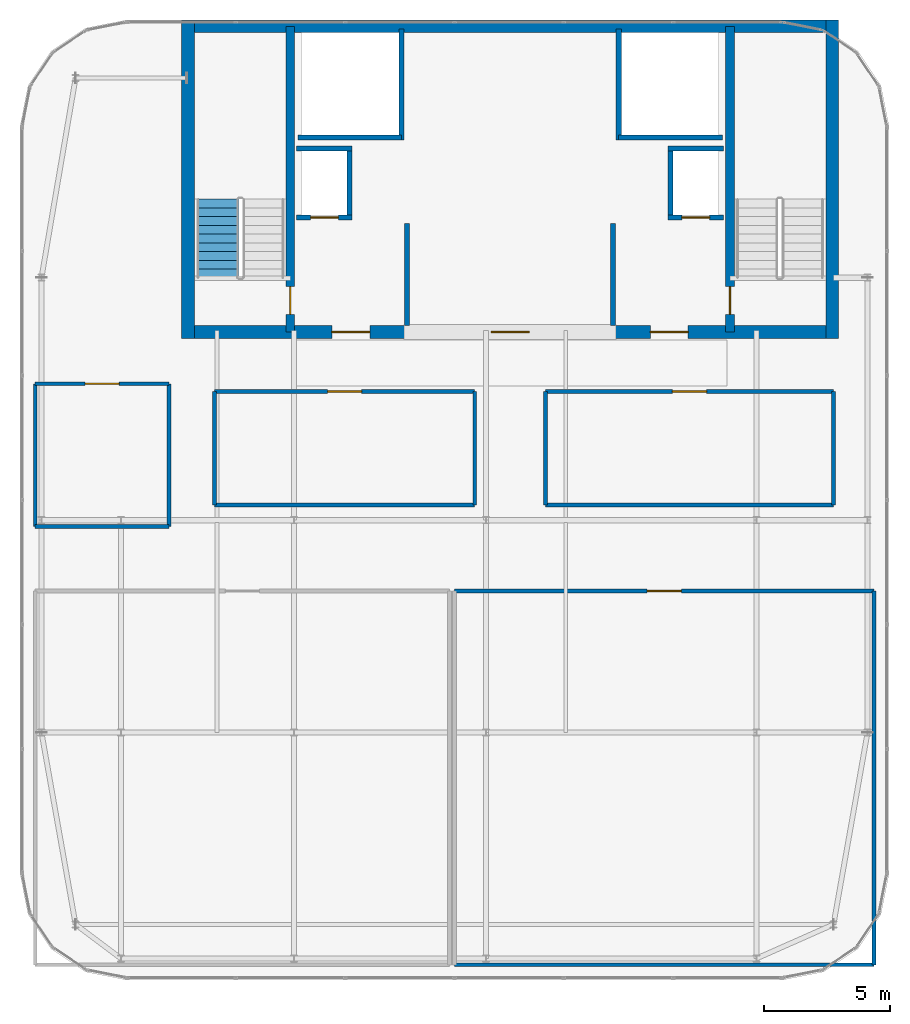
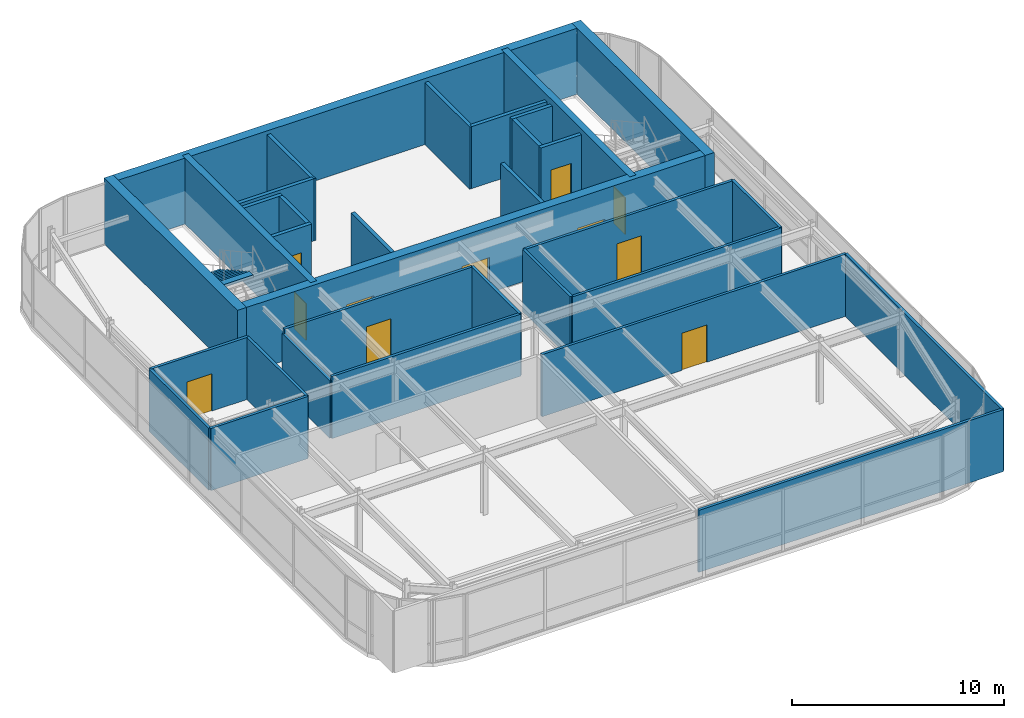
# One storey, part 34 of 36: 33 walls, 11 doors, 1 stair flight, 11 openings, 1 element without a shape of its own.
"""IFC4 building model written with IfcOpenShell, lengths in metres."""

from ifc_helpers import new_model, si_unit, direction, frame, frame_2d, origin, place, context, subcontext, project, spatial, polyline, rectangle, outline, extrude, source, transform, mapped, material, layer, layer_set, type_object, type_shapes, element, fill, aggregate, save


model = new_model("IFC4")

# Units and contexts
model_context = context("Model", 3, precision=1e-05, world=origin(), true_north=direction((0.0, 1.0)))
body_context = subcontext(model_context, "Body", "Model", "MODEL_VIEW")
ifc_project = project(units=[si_unit("LENGTHUNIT", "METRE"), si_unit("AREAUNIT", "SQUARE_METRE"), si_unit("VOLUMEUNIT", "CUBIC_METRE"), si_unit("PLANEANGLEUNIT", "RADIAN"), si_unit("MASSUNIT", "GRAM", prefix="KILO")], contexts=[model_context])

# Site, building, storey
site_placement = place(None, origin())
site = spatial("IfcSite", under=ifc_project, at=site_placement, CompositionType="ELEMENT")
building_placement = place(site_placement, origin())
building = spatial("IfcBuilding", under=site, at=building_placement, Name="Tolvann Quenvar Hotel", CompositionType="ELEMENT")
storey_placement = place(building_placement, frame((0.0, 0.0, 294.75)))
storey = spatial("IfcBuildingStorey", under=building, at=storey_placement, Name="L78", CompositionType="ELEMENT", Elevation=294.75)

# Wall, openings, doors
ifc_material_1 = material(Name="Concrete N50 (50 MPa)", Category="concrete")
ifc_layer_1 = layer(ifc_material_1, 0.5)
ifc_layer_set_1 = layer_set([ifc_layer_1], Name="Concrete N50 (50 MPa)")
wall_type_1 = type_object("IfcWallType", Name="WALL_CORE_500", PredefinedType="SHEAR", material=ifc_layer_set_1)
wall_1_placement = place(storey_placement, frame((10.0, 31.85009765625, 0.0), z_axis=(0.0, 0.0, 1.0), x_axis=(1.0, 0.0, 0.0)))
wall_1 = element("IfcWall", 1, at=wall_1_placement, inside=storey, type_object=wall_type_1, Name="Rear Core S Shear Wall (L78)", PredefinedType="SHEAR", context=body_context, shape_type="SweptSolid", body=[
    extrude(rectangle(XDim=26.0, YDim=0.5, at=frame_2d((13.0, 0.0))), origin(), (0.0, 0.0, 1.0), 3.800048828125),
])
opening_1_placement = place(wall_1_placement, frame((7.449951171875, 0.0, 0.0), z_axis=(0.0, 0.0, 1.0), x_axis=(-1.0, 0.0, 0.0)))
opening_1 = element("IfcOpeningElement", 2, at=opening_1_placement, cuts=wall_1, Name="Opening FD-60D", PredefinedType="OPENING", context=body_context, shape_type="SweptSolid", body=[
    extrude(rectangle(XDim=1.5, YDim=2.0400390625, at=frame_2d((0.75, 1.02001953125))), frame((0.0, 0.260009765625, 0.0), z_axis=(0.0, -1.0, 0.0), x_axis=(1.0, 0.0, 0.0)), (0.0, 0.0, 1.0), 0.52001953125),
])
opening_2_placement = place(wall_1_placement, frame((13.75, 0.0, 0.0), z_axis=(0.0, 0.0, 1.0), x_axis=(-1.0, 0.0, 0.0)))
opening_2 = element("IfcOpeningElement", 3, at=opening_2_placement, cuts=wall_1, Name="Opening FD-60D", PredefinedType="OPENING", context=body_context, shape_type="SweptSolid", body=[
    extrude(rectangle(XDim=1.5, YDim=2.0400390625, at=frame_2d((0.75, 1.02001953125))), frame((0.0, 0.260009765625, 0.0), z_axis=(0.0, -1.0, 0.0), x_axis=(1.0, 0.0, 0.0)), (0.0, 0.0, 1.0), 0.52001953125),
])
opening_3_placement = place(wall_1_placement, frame((20.050048828125, 0.0, 0.0), z_axis=(0.0, 0.0, 1.0), x_axis=(-1.0, 0.0, 0.0)))
opening_3 = element("IfcOpeningElement", 4, at=opening_3_placement, cuts=wall_1, Name="Opening FD-60D", PredefinedType="OPENING", context=body_context, shape_type="SweptSolid", body=[
    extrude(rectangle(XDim=1.5, YDim=2.0400390625, at=frame_2d((0.75, 1.02001953125))), frame((0.0, 0.260009765625, 0.0), z_axis=(0.0, -1.0, 0.0), x_axis=(1.0, 0.0, 0.0)), (0.0, 0.0, 1.0), 0.52001953125),
])
ifc_material_2 = material(Name="Solid-core American oak acoustic fire door leaf in steel frame", Category="steel")
door_type_1 = type_object("IfcDoorType", Name="DOOR_FIRE_LOBBY_1500", OperationType="NOTDEFINED", PredefinedType="DOOR", material=ifc_material_2)
shared_shape_1 = source(origin(), body_context, "Body", "SweptSolid", [
    extrude(rectangle(XDim=1.5, YDim=2.0400390625, at=frame_2d((0.75, 1.02001953125))), frame((0.0, 0.02490234375, 0.0), z_axis=(0.0, -1.0, 0.0), x_axis=(1.0, 0.0, 0.0)), (0.0, 0.0, 1.0), 0.050048828125),
])
type_shapes(door_type_1, [shared_shape_1])
door_1_placement = place(opening_1_placement, origin())
door_1 = element("IfcDoor", 5, at=door_1_placement, inside=storey, type_object=door_type_1, Name="Core Lobby Fire Door FFW (L78)", OperationType="DOUBLE_DOOR_SINGLE_SWING", OverallHeight=2.0400390625, OverallWidth=1.5, PredefinedType="DOOR", context=body_context, shape_type="MappedRepresentation", body=[
    mapped(shared_shape_1, transform((0.0, 0.0, 0.0), x_axis=(1.0, 0.0, 0.0), y_axis=(0.0, 1.0, 0.0), z_axis=(0.0, 0.0, 1.0), scale=1.0)),
])
fill(opening_1, door_1)
door_2_placement = place(opening_2_placement, origin())
door_2 = element("IfcDoor", 6, at=door_2_placement, inside=storey, type_object=door_type_1, Name="Core Lobby Fire Door CLOB (L78)", OperationType="DOUBLE_DOOR_SINGLE_SWING", OverallHeight=2.0400390625, OverallWidth=1.5, PredefinedType="DOOR", context=body_context, shape_type="MappedRepresentation", body=[
    mapped(shared_shape_1, transform((0.0, 0.0, 0.0), x_axis=(1.0, 0.0, 0.0), y_axis=(0.0, 1.0, 0.0), z_axis=(0.0, 0.0, 1.0), scale=1.0)),
])
fill(opening_2, door_2)
door_3_placement = place(opening_3_placement, origin())
door_3 = element("IfcDoor", 7, at=door_3_placement, inside=storey, type_object=door_type_1, Name="Core Lobby Fire Door FFE (L78)", OperationType="DOUBLE_DOOR_SINGLE_SWING", OverallHeight=2.0400390625, OverallWidth=1.5, PredefinedType="DOOR", context=body_context, shape_type="MappedRepresentation", body=[
    mapped(shared_shape_1, transform((0.0, 0.0, 0.0), x_axis=(1.0, 0.0, 0.0), y_axis=(0.0, 1.0, 0.0), z_axis=(0.0, 0.0, 1.0), scale=1.0)),
])
fill(opening_3, door_3)

# Walls
wall_2_placement = place(storey_placement, frame((10.0, 43.949951171875, 0.0), z_axis=(0.0, 0.0, 1.0), x_axis=(1.0, 0.0, 0.0)))
element("IfcWall", 8, at=wall_2_placement, inside=storey, type_object=wall_type_1, Name="Rear Core N Shear Wall (L78)", PredefinedType="SHEAR", context=body_context, shape_type="SweptSolid", body=[
    extrude(rectangle(XDim=26.0, YDim=0.5, at=frame_2d((13.0, 0.0))), origin(), (0.0, 0.0, 1.0), 3.800048828125),
])
for number, where, z_axis, x_axis, name in (
    (9, (10.25, 31.60009765625, 0.0), (0.0, 0.0, 1.0), (0.0, 1.0, 0.0), "Rear Core W Shear Wall (L78)"),
    (10, (35.75, 31.60009765625, 0.0), (0.0, 0.0, 1.0), (0.0, 1.0, 0.0), "Rear Core E Shear Wall (L78)"),
):
    element("IfcWall", number, at=place(storey_placement, frame(where, z_axis=z_axis, x_axis=x_axis)), inside=storey, type_object=wall_type_1, Name=name, PredefinedType="SHEAR", context=body_context, shape_type="SweptSolid", body=[
        extrude(rectangle(XDim=12.599853515625, YDim=0.5, at=frame_2d((6.2998046875, 0.0))), origin(), (0.0, 0.0, 1.0), 3.800048828125),
    ])

# Wall, opening, door
ifc_material_3 = material(Name="Concrete S65 (65 MPa)", Category="concrete")
ifc_layer_2 = layer(ifc_material_3, 0.35009765625)
ifc_layer_set_2 = layer_set([ifc_layer_2], Name="Concrete S65 (65 MPa)")
wall_type_2 = type_object("IfcWallType", Name="WALL_CORE_INT_350", PredefinedType="SHEAR", material=ifc_layer_set_2)
wall_3_placement = place(storey_placement, frame((14.300048828125, 31.85009765625, 0.0), z_axis=(0.0, 0.0, 1.0), x_axis=(0.0, 1.0, 0.0)))
wall_3 = element("IfcWall", 11, at=wall_3_placement, inside=storey, type_object=wall_type_2, Name="Core Internal Web Shear Wall WEB-W (L78)", PredefinedType="SHEAR", context=body_context, shape_type="SweptSolid", body=[
    extrude(rectangle(XDim=12.099853515625, YDim=0.35009765625, at=frame_2d((6.0498046875, 0.0))), origin(), (0.0, 0.0, 1.0), 3.800048828125),
])
opening_4_placement = place(wall_3_placement, frame((0.699951171875, 0.0, 0.0)))
opening_4 = element("IfcOpeningElement", 12, at=opening_4_placement, cuts=wall_3, Name="Opening FD-120", PredefinedType="OPENING", context=body_context, shape_type="SweptSolid", body=[
    extrude(rectangle(XDim=1.10009765625, YDim=2.1201171875, at=frame_2d((0.550048828125, 1.06005859375))), frame((0.0, 0.18505859375, 0.0), z_axis=(0.0, -1.0, 0.0), x_axis=(1.0, 0.0, 0.0)), (0.0, 0.0, 1.0), 0.3701171875),
])
ifc_material_4 = material(Name="Pressed galvanised steel fire-rated door set", Category="steel")
door_type_2 = type_object("IfcDoorType", Name="DOOR_FIRE_STAIR_1100", OperationType="NOTDEFINED", PredefinedType="DOOR", material=ifc_material_4)
shared_shape_2 = source(origin(), body_context, "Body", "SweptSolid", [
    extrude(rectangle(XDim=1.10009765625, YDim=2.1201171875, at=frame_2d((0.550048828125, 1.06005859375))), frame((0.0, 0.02490234375, 0.0), z_axis=(0.0, -1.0, 0.0), x_axis=(1.0, 0.0, 0.0)), (0.0, 0.0, 1.0), 0.050048828125),
])
type_shapes(door_type_2, [shared_shape_2])
door_4_placement = place(opening_4_placement, origin())
door_4 = element("IfcDoor", 13, at=door_4_placement, inside=storey, type_object=door_type_2, Name="Exit Stair ST-C1 Fire Door (L78)", OperationType="SINGLE_SWING_LEFT", OverallHeight=2.1201171875, OverallWidth=1.10009765625, PredefinedType="DOOR", context=body_context, shape_type="MappedRepresentation", body=[
    mapped(shared_shape_2, transform((0.0, 0.0, 0.0), x_axis=(1.0, 0.0, 0.0), y_axis=(0.0, 1.0, 0.0), z_axis=(0.0, 0.0, 1.0), scale=1.0)),
])
fill(opening_4, door_4)

wall_4_placement = place(storey_placement, frame((31.699951171875, 31.85009765625, 0.0), z_axis=(0.0, 0.0, 1.0), x_axis=(0.0, 1.0, 0.0)))
wall_4 = element("IfcWall", 14, at=wall_4_placement, inside=storey, type_object=wall_type_2, Name="Core Internal Web Shear Wall WEB-E (L78)", PredefinedType="SHEAR", context=body_context, shape_type="SweptSolid", body=[
    extrude(rectangle(XDim=12.099853515625, YDim=0.35009765625, at=frame_2d((6.0498046875, 0.0))), origin(), (0.0, 0.0, 1.0), 3.800048828125),
])
opening_5_placement = place(wall_4_placement, frame((1.800048828125, 0.0, 0.0), z_axis=(0.0, 0.0, 1.0), x_axis=(-1.0, 0.0, 0.0)))
opening_5 = element("IfcOpeningElement", 15, at=opening_5_placement, cuts=wall_4, Name="Opening FD-120", PredefinedType="OPENING", context=body_context, shape_type="SweptSolid", body=[
    extrude(rectangle(XDim=1.10009765625, YDim=2.1201171875, at=frame_2d((0.550048828125, 1.06005859375))), frame((0.0, 0.18505859375, 0.0), z_axis=(0.0, -1.0, 0.0), x_axis=(1.0, 0.0, 0.0)), (0.0, 0.0, 1.0), 0.3701171875),
])
door_5_placement = place(opening_5_placement, origin())
door_5 = element("IfcDoor", 16, at=door_5_placement, inside=storey, type_object=door_type_2, Name="Exit Stair ST-C2 Fire Door (L78)", OperationType="SINGLE_SWING_RIGHT", OverallHeight=2.1201171875, OverallWidth=1.10009765625, PredefinedType="DOOR", context=body_context, shape_type="MappedRepresentation", body=[
    mapped(shared_shape_2, transform((0.0, 0.0, 0.0), x_axis=(1.0, 0.0, 0.0), y_axis=(0.0, 1.0, 0.0), z_axis=(0.0, 0.0, 1.0), scale=1.0)),
])
fill(opening_5, door_5)

# Wall
ifc_material_5 = material(Name="Acoustic twin-stud fire-rated gypsum plasterboard partition")
ifc_layer_3 = layer(ifc_material_5, 0.14990234375)
ifc_layer_set_3 = layer_set([ifc_layer_3], Name="Acoustic twin-stud fire-rated gypsum plasterboard partition")
wall_type_3 = type_object("IfcWallType", Name="WALL_PART_SUITE_150", PredefinedType="PARTITIONING", material=ifc_layer_set_3)
wall_5_placement = place(storey_placement, frame((20.800048828125, 6.800048828125, 0.0), z_axis=(0.0, 0.0, 1.0), x_axis=(1.0, 0.0, 0.0)))
element("IfcWall", 17, at=wall_5_placement, inside=storey, type_object=wall_type_3, Name="Interior Partition PT-SPC-L78-LMR-S", PredefinedType="PARTITIONING", context=body_context, shape_type="SweptSolid", body=[
    extrude(rectangle(XDim=16.599853515625, YDim=0.14990234375, at=frame_2d((8.2998046875, 0.0))), origin(), (0.0, 0.0, 1.0), 3.580078125),
])

# Wall, opening, door
wall_6_placement = place(storey_placement, frame((20.800048828125, 21.60009765625, 0.0), z_axis=(0.0, 0.0, 1.0), x_axis=(1.0, 0.0, 0.0)))
wall_6 = element("IfcWall", 18, at=wall_6_placement, inside=storey, type_object=wall_type_3, Name="Interior Partition PT-SPC-L78-LMR-N", PredefinedType="PARTITIONING", context=body_context, shape_type="SweptSolid", body=[
    extrude(rectangle(XDim=16.599853515625, YDim=0.14990234375, at=frame_2d((8.2998046875, 0.0))), origin(), (0.0, 0.0, 1.0), 3.580078125),
])
opening_6_placement = place(wall_6_placement, frame((7.625, 0.0, 0.0)))
opening_6 = element("IfcOpeningElement", 19, at=opening_6_placement, cuts=wall_6, Name="Opening PD-01", PredefinedType="OPENING", context=body_context, shape_type="SweptSolid", body=[
    extrude(rectangle(XDim=1.35009765625, YDim=2.14990234375, at=frame_2d((0.675048828125, 1.074951171875))), frame((0.0, 0.0849609375, 0.0), z_axis=(0.0, -1.0, 0.0), x_axis=(1.0, 0.0, 0.0)), (0.0, 0.0, 1.0), 0.169921875),
])
door_type_3 = type_object("IfcDoorType", Name="DOOR_PLANT_1350", OperationType="NOTDEFINED", PredefinedType="DOOR", material=ifc_material_4)
shared_shape_3 = source(origin(), body_context, "Body", "SweptSolid", [
    extrude(rectangle(XDim=1.35009765625, YDim=2.14990234375, at=frame_2d((0.675048828125, 1.074951171875))), frame((0.0, 0.02490234375, 0.0), z_axis=(0.0, -1.0, 0.0), x_axis=(1.0, 0.0, 0.0)), (0.0, 0.0, 1.0), 0.050048828125),
])
type_shapes(door_type_3, [shared_shape_3])
door_6_placement = place(opening_6_placement, origin())
door_6 = element("IfcDoor", 20, at=door_6_placement, inside=storey, type_object=door_type_3, Name="Interior Door DOOR-SPC-L78-LMR", OperationType="DOUBLE_DOOR_SINGLE_SWING", OverallHeight=2.14990234375, OverallWidth=1.35009765625, PredefinedType="DOOR", context=body_context, shape_type="MappedRepresentation", body=[
    mapped(shared_shape_3, transform((0.0, 0.0, 0.0), x_axis=(1.0, 0.0, 0.0), y_axis=(0.0, 1.0, 0.0), z_axis=(0.0, 0.0, 1.0), scale=1.0)),
])
fill(opening_6, door_6)

# Walls
wall_7_placement = place(storey_placement, frame((37.39990234375, 6.800048828125, 0.0), z_axis=(0.0, 0.0, 1.0), x_axis=(0.0, 1.0, 0.0)))
element("IfcWall", 21, at=wall_7_placement, inside=storey, type_object=wall_type_3, Name="Interior Partition PT-SPC-L78-LMR-E", PredefinedType="PARTITIONING", context=body_context, shape_type="SweptSolid", body=[
    extrude(rectangle(XDim=14.800048828125, YDim=0.14990234375, at=frame_2d((7.39990234375, 0.0))), origin(), (0.0, 0.0, 1.0), 3.580078125),
])
wall_8_placement = place(storey_placement, frame((4.199951171875, 24.14990234375, 0.0), z_axis=(0.0, 0.0, 1.0), x_axis=(1.0, 0.0, 0.0)))
element("IfcWall", 22, at=wall_8_placement, inside=storey, type_object=wall_type_3, Name="Interior Partition PT-SPC-L78-EXH-ENT", PredefinedType="PARTITIONING", context=body_context, shape_type="SweptSolid", body=[
    extrude(rectangle(XDim=5.300048828125, YDim=0.14990234375, at=frame_2d((2.64990234375, 0.0))), origin(), (0.0, 0.0, 1.0), 3.580078125),
])

# Wall, opening, door
wall_9_placement = place(storey_placement, frame((4.199951171875, 29.800048828125, 0.0), z_axis=(0.0, 0.0, 1.0), x_axis=(1.0, 0.0, 0.0)))
wall_9 = element("IfcWall", 23, at=wall_9_placement, inside=storey, type_object=wall_type_3, Name="Interior Partition PT-SPC-L78-EXH-N", PredefinedType="PARTITIONING", context=body_context, shape_type="SweptSolid", body=[
    extrude(rectangle(XDim=5.300048828125, YDim=0.14990234375, at=frame_2d((2.64990234375, 0.0))), origin(), (0.0, 0.0, 1.0), 3.580078125),
])
opening_7_placement = place(wall_9_placement, frame((1.97509765625, 0.0, 0.0)))
opening_7 = element("IfcOpeningElement", 24, at=opening_7_placement, cuts=wall_9, Name="Opening PD-01", PredefinedType="OPENING", context=body_context, shape_type="SweptSolid", body=[
    extrude(rectangle(XDim=1.35009765625, YDim=2.14990234375, at=frame_2d((0.675048828125, 1.074951171875))), frame((0.0, 0.0849609375, 0.0), z_axis=(0.0, -1.0, 0.0), x_axis=(1.0, 0.0, 0.0)), (0.0, 0.0, 1.0), 0.169921875),
])
door_7_placement = place(opening_7_placement, origin())
door_7 = element("IfcDoor", 25, at=door_7_placement, inside=storey, type_object=door_type_3, Name="Interior Door DOOR-SPC-L78-EXH", OperationType="DOUBLE_DOOR_SINGLE_SWING", OverallHeight=2.14990234375, OverallWidth=1.35009765625, PredefinedType="DOOR", context=body_context, shape_type="MappedRepresentation", body=[
    mapped(shared_shape_3, transform((0.0, 0.0, 0.0), x_axis=(1.0, 0.0, 0.0), y_axis=(0.0, 1.0, 0.0), z_axis=(0.0, 0.0, 1.0), scale=1.0)),
])
fill(opening_7, door_7)

# Walls
for number, where, z_axis, x_axis, name in (
    (26, (4.199951171875, 24.14990234375, 0.0), (0.0, 0.0, 1.0), (0.0, 1.0, 0.0), "Interior Partition PT-SPC-L78-EXH-W"),
    (27, (9.5, 24.14990234375, 0.0), (0.0, 0.0, 1.0), (0.0, 1.0, 0.0), "Interior Partition PT-SPC-L78-EXH-E"),
):
    element("IfcWall", number, at=place(storey_placement, frame(where, z_axis=z_axis, x_axis=x_axis)), inside=storey, type_object=wall_type_3, Name=name, PredefinedType="PARTITIONING", context=body_context, shape_type="SweptSolid", body=[
        extrude(rectangle(XDim=5.650146484375, YDim=0.14990234375, at=frame_2d((2.8251953125, 0.0))), origin(), (0.0, 0.0, 1.0), 3.580078125),
    ])
wall_10_placement = place(storey_placement, frame((11.300048828125, 25.0, 0.0), z_axis=(0.0, 0.0, 1.0), x_axis=(1.0, 0.0, 0.0)))
element("IfcWall", 28, at=wall_10_placement, inside=storey, type_object=wall_type_3, Name="Interior Partition PT-SPC-L78-LDIM-S", PredefinedType="PARTITIONING", context=body_context, shape_type="SweptSolid", body=[
    extrude(rectangle(XDim=10.300048828125, YDim=0.14990234375, at=frame_2d((5.14990234375, 0.0))), origin(), (0.0, 0.0, 1.0), 3.580078125),
])

# Wall, opening, door
wall_11_placement = place(storey_placement, frame((11.300048828125, 29.5, 0.0), z_axis=(0.0, 0.0, 1.0), x_axis=(1.0, 0.0, 0.0)))
wall_11 = element("IfcWall", 29, at=wall_11_placement, inside=storey, type_object=wall_type_3, Name="Interior Partition PT-SPC-L78-LDIM-N", PredefinedType="PARTITIONING", context=body_context, shape_type="SweptSolid", body=[
    extrude(rectangle(XDim=10.300048828125, YDim=0.14990234375, at=frame_2d((5.14990234375, 0.0))), origin(), (0.0, 0.0, 1.0), 3.580078125),
])
opening_8_placement = place(wall_11_placement, frame((4.47509765625, 0.0, 0.0)))
opening_8 = element("IfcOpeningElement", 30, at=opening_8_placement, cuts=wall_11, Name="Opening PD-01", PredefinedType="OPENING", context=body_context, shape_type="SweptSolid", body=[
    extrude(rectangle(XDim=1.35009765625, YDim=2.14990234375, at=frame_2d((0.675048828125, 1.074951171875))), frame((0.0, 0.0849609375, 0.0), z_axis=(0.0, -1.0, 0.0), x_axis=(1.0, 0.0, 0.0)), (0.0, 0.0, 1.0), 0.169921875),
])
door_8_placement = place(opening_8_placement, origin())
door_8 = element("IfcDoor", 31, at=door_8_placement, inside=storey, type_object=door_type_3, Name="Interior Door DOOR-SPC-L78-LDIM", OperationType="DOUBLE_DOOR_SINGLE_SWING", OverallHeight=2.14990234375, OverallWidth=1.35009765625, PredefinedType="DOOR", context=body_context, shape_type="MappedRepresentation", body=[
    mapped(shared_shape_3, transform((0.0, 0.0, 0.0), x_axis=(1.0, 0.0, 0.0), y_axis=(0.0, 1.0, 0.0), z_axis=(0.0, 0.0, 1.0), scale=1.0)),
])
fill(opening_8, door_8)

# Walls
wall_12_placement = place(storey_placement, frame((11.300048828125, 25.0, 0.0), z_axis=(0.0, 0.0, 1.0), x_axis=(0.0, 1.0, 0.0)))
element("IfcWall", 32, at=wall_12_placement, inside=storey, type_object=wall_type_3, Name="Interior Partition PT-SPC-L78-LDIM-W", PredefinedType="PARTITIONING", context=body_context, shape_type="SweptSolid", body=[
    extrude(rectangle(XDim=4.5, YDim=0.14990234375, at=frame_2d((2.25, 0.0))), origin(), (0.0, 0.0, 1.0), 3.31396484375),
])
wall_13_placement = place(storey_placement, frame((21.60009765625, 25.0, 0.0), z_axis=(0.0, 0.0, 1.0), x_axis=(0.0, 1.0, 0.0)))
element("IfcWall", 33, at=wall_13_placement, inside=storey, type_object=wall_type_3, Name="Interior Partition PT-SPC-L78-LDIM-E", PredefinedType="PARTITIONING", context=body_context, shape_type="SweptSolid", body=[
    extrude(rectangle(XDim=4.5, YDim=0.14990234375, at=frame_2d((2.25, 0.0))), origin(), (0.0, 0.0, 1.0), 3.580078125),
])
wall_14_placement = place(storey_placement, frame((24.39990234375, 25.0, 0.0), z_axis=(0.0, 0.0, 1.0), x_axis=(1.0, 0.0, 0.0)))
element("IfcWall", 34, at=wall_14_placement, inside=storey, type_object=wall_type_3, Name="Interior Partition PT-SPC-L78-BMS-S", PredefinedType="PARTITIONING", context=body_context, shape_type="SweptSolid", body=[
    extrude(rectangle(XDim=11.400146484375, YDim=0.14990234375, at=frame_2d((5.7001953125, 0.0))), origin(), (0.0, 0.0, 1.0), 3.580078125),
])

# Wall, opening, door
wall_15_placement = place(storey_placement, frame((24.39990234375, 29.5, 0.0), z_axis=(0.0, 0.0, 1.0), x_axis=(1.0, 0.0, 0.0)))
wall_15 = element("IfcWall", 35, at=wall_15_placement, inside=storey, type_object=wall_type_3, Name="Interior Partition PT-SPC-L78-BMS-N", PredefinedType="PARTITIONING", context=body_context, shape_type="SweptSolid", body=[
    extrude(rectangle(XDim=11.400146484375, YDim=0.14990234375, at=frame_2d((5.7001953125, 0.0))), origin(), (0.0, 0.0, 1.0), 3.580078125),
])
opening_9_placement = place(wall_15_placement, frame((5.02490234375, 0.0, 0.0)))
opening_9 = element("IfcOpeningElement", 36, at=opening_9_placement, cuts=wall_15, Name="Opening PD-01", PredefinedType="OPENING", context=body_context, shape_type="SweptSolid", body=[
    extrude(rectangle(XDim=1.35009765625, YDim=2.14990234375, at=frame_2d((0.675048828125, 1.074951171875))), frame((0.0, 0.0849609375, 0.0), z_axis=(0.0, -1.0, 0.0), x_axis=(1.0, 0.0, 0.0)), (0.0, 0.0, 1.0), 0.169921875),
])
door_9_placement = place(opening_9_placement, origin())
door_9 = element("IfcDoor", 37, at=door_9_placement, inside=storey, type_object=door_type_3, Name="Interior Door DOOR-SPC-L78-BMS", OperationType="DOUBLE_DOOR_SINGLE_SWING", OverallHeight=2.14990234375, OverallWidth=1.35009765625, PredefinedType="DOOR", context=body_context, shape_type="MappedRepresentation", body=[
    mapped(shared_shape_3, transform((0.0, 0.0, 0.0), x_axis=(1.0, 0.0, 0.0), y_axis=(0.0, 1.0, 0.0), z_axis=(0.0, 0.0, 1.0), scale=1.0)),
])
fill(opening_9, door_9)

# Walls
for number, where, z_axis, x_axis, name in (
    (38, (24.39990234375, 25.0, 0.0), (0.0, 0.0, 1.0), (0.0, 1.0, 0.0), "Interior Partition PT-SPC-L78-BMS-W"),
    (39, (35.800048828125, 25.0, 0.0), (0.0, 0.0, 1.0), (0.0, 1.0, 0.0), "Interior Partition PT-SPC-L78-BMS-E"),
):
    element("IfcWall", number, at=place(storey_placement, frame(where, z_axis=z_axis, x_axis=x_axis)), inside=storey, type_object=wall_type_3, Name=name, PredefinedType="PARTITIONING", context=body_context, shape_type="SweptSolid", body=[
        extrude(rectangle(XDim=4.5, YDim=0.14990234375, at=frame_2d((2.25, 0.0))), origin(), (0.0, 0.0, 1.0), 3.580078125),
    ])
ifc_material_6 = material(Name="Concrete N40 (40 MPa)", Category="concrete")
ifc_layer_4 = layer(ifc_material_6, 0.199951171875)
ifc_layer_set_4 = layer_set([ifc_layer_4], Name="Concrete N40 (40 MPa)")
wall_type_4 = type_object("IfcWallType", Name="WALL_SHAFT_200", PredefinedType="SOLIDWALL", material=ifc_layer_set_4)
wall_16_placement = place(storey_placement, frame((18.699951171875, 39.449951171875, 0.0), z_axis=(0.0, 0.0, 1.0), x_axis=(0.0, 1.0, 0.0)))
element("IfcWall", 40, at=wall_16_placement, inside=storey, type_object=wall_type_4, Name="Service Riser W Shaft Wall IN (L78)", PredefinedType="SOLIDWALL", context=body_context, shape_type="SweptSolid", body=[
    extrude(rectangle(XDim=4.400146484375, YDim=0.199951171875, at=frame_2d((2.2001953125, 0.0))), origin(), (0.0, 0.0, 1.0), 3.580078125),
])
wall_17_placement = place(storey_placement, frame((14.60009765625, 39.550048828125, 0.0), z_axis=(0.0, 0.0, 1.0), x_axis=(1.0, 0.0, 0.0)))
element("IfcWall", 41, at=wall_17_placement, inside=storey, type_object=wall_type_4, Name="Service Riser W Shaft Wall S (L78)", PredefinedType="SOLIDWALL", context=body_context, shape_type="SweptSolid", body=[
    extrude(rectangle(XDim=4.099853515625, YDim=0.199951171875, at=frame_2d((2.0498046875, 0.0))), origin(), (0.0, 0.0, 1.0), 3.580078125),
])
wall_18_placement = place(storey_placement, frame((27.300048828125, 39.449951171875, 0.0), z_axis=(0.0, 0.0, 1.0), x_axis=(0.0, 1.0, 0.0)))
element("IfcWall", 42, at=wall_18_placement, inside=storey, type_object=wall_type_4, Name="Service Riser E Shaft Wall IN (L78)", PredefinedType="SOLIDWALL", context=body_context, shape_type="SweptSolid", body=[
    extrude(rectangle(XDim=4.400146484375, YDim=0.199951171875, at=frame_2d((2.2001953125, 0.0))), origin(), (0.0, 0.0, 1.0), 3.580078125),
])
wall_19_placement = place(storey_placement, frame((27.300048828125, 39.550048828125, 0.0), z_axis=(0.0, 0.0, 1.0), x_axis=(1.0, 0.0, 0.0)))
element("IfcWall", 43, at=wall_19_placement, inside=storey, type_object=wall_type_4, Name="Service Riser E Shaft Wall S (L78)", PredefinedType="SOLIDWALL", context=body_context, shape_type="SweptSolid", body=[
    extrude(rectangle(XDim=4.099853515625, YDim=0.199951171875, at=frame_2d((2.0498046875, 0.0))), origin(), (0.0, 0.0, 1.0), 3.580078125),
])
for number, where, z_axis, x_axis, name in (
    (44, (18.919921875, 32.10400390625, 0.0), (0.0, 0.0, 1.0), (0.0, 1.0, 0.0), "Firefighting Lobby W Inner Fire Wall (L78)"),
    (45, (27.080078125, 32.10400390625, 0.0), (0.0, 0.0, 1.0), (0.0, 1.0, 0.0), "Firefighting Lobby E Inner Fire Wall (L78)"),
):
    element("IfcWall", number, at=place(storey_placement, frame(where, z_axis=z_axis, x_axis=x_axis)), inside=storey, type_object=wall_type_4, Name=name, PredefinedType="SOLIDWALL", context=body_context, shape_type="SweptSolid", body=[
        extrude(rectangle(XDim=4.0458984375, YDim=0.199951171875, at=frame_2d((2.02294921875, 0.0))), origin(), (0.0, 0.0, 1.0), 3.580078125),
    ])

# Wall, opening, door
wall_20_placement = place(storey_placement, frame((29.25, 36.3798828125, 0.0), z_axis=(0.0, 0.0, 1.0), x_axis=(1.0, 0.0, 0.0)))
wall_20 = element("IfcWall", 46, at=wall_20_placement, inside=storey, type_object=wall_type_4, Name="Lift Bank SEC1 Hoistway Front Wall (L78)", PredefinedType="SOLIDWALL", context=body_context, shape_type="SweptSolid", body=[
    extrude(rectangle(XDim=2.199951171875, YDim=0.199951171875, at=frame_2d((1.10009765625, 0.0))), origin(), (0.0, 0.0, 1.0), 3.580078125),
])
opening_10_placement = place(wall_20_placement, frame((0.550048828125, 0.0, 0.0)))
opening_10 = element("IfcOpeningElement", 47, at=opening_10_placement, cuts=wall_20, Name="Opening LD-01", PredefinedType="OPENING", context=body_context, shape_type="SweptSolid", body=[
    extrude(rectangle(XDim=1.10009765625, YDim=2.1201171875, at=frame_2d((0.550048828125, 1.06005859375))), frame((0.0, 0.10986328125, 0.0), z_axis=(0.0, -1.0, 0.0), x_axis=(1.0, 0.0, 0.0)), (0.0, 0.0, 1.0), 0.219970703125),
])
ifc_material_7 = material(Name="Brushed 316 stainless steel automatic sliding lift landing door", Category="steel")
door_type_4 = type_object("IfcDoorType", Name="DOOR_LIFT_SLIDE_1100", OperationType="NOTDEFINED", PredefinedType="DOOR", material=ifc_material_7)
shared_shape_4 = source(origin(), body_context, "Body", "SweptSolid", [
    extrude(rectangle(XDim=1.10009765625, YDim=2.1201171875, at=frame_2d((0.550048828125, 1.06005859375))), frame((0.0, 0.02490234375, 0.0), z_axis=(0.0, -1.0, 0.0), x_axis=(1.0, 0.0, 0.0)), (0.0, 0.0, 1.0), 0.050048828125),
])
type_shapes(door_type_4, [shared_shape_4])
door_10_placement = place(opening_10_placement, origin())
door_10 = element("IfcDoor", 48, at=door_10_placement, inside=storey, type_object=door_type_4, Name="Lift FF-2 Sliding Landing Door (L78)", OperationType="SLIDING_TO_RIGHT", OverallHeight=2.1201171875, OverallWidth=1.10009765625, PredefinedType="DOOR", context=body_context, shape_type="MappedRepresentation", body=[
    mapped(shared_shape_4, transform((0.0, 0.0, 0.0), x_axis=(1.0, 0.0, 0.0), y_axis=(0.0, 1.0, 0.0), z_axis=(0.0, 0.0, 1.0), scale=1.0)),
])
fill(opening_10, door_10)

# Walls
wall_21_placement = place(storey_placement, frame((29.25, 39.1201171875, 0.0), z_axis=(0.0, 0.0, 1.0), x_axis=(1.0, 0.0, 0.0)))
element("IfcWall", 49, at=wall_21_placement, inside=storey, type_object=wall_type_4, Name="Lift Bank SEC1 Hoistway Rear Wall (L78)", PredefinedType="SOLIDWALL", context=body_context, shape_type="SweptSolid", body=[
    extrude(rectangle(XDim=2.199951171875, YDim=0.199951171875, at=frame_2d((1.10009765625, 0.0))), origin(), (0.0, 0.0, 1.0), 3.580078125),
])
wall_22_placement = place(storey_placement, frame((29.35009765625, 36.47998046875, 0.0), z_axis=(0.0, 0.0, 1.0), x_axis=(0.0, 1.0, 0.0)))
element("IfcWall", 50, at=wall_22_placement, inside=storey, type_object=wall_type_4, Name="Lift Bank SEC1 Hoistway Cheek Wall 1 (L78)", PredefinedType="SOLIDWALL", context=body_context, shape_type="SweptSolid", body=[
    extrude(rectangle(XDim=2.5400390625, YDim=0.199951171875, at=frame_2d((1.27001953125, 0.0))), origin(), (0.0, 0.0, 1.0), 3.580078125),
])

# Wall, opening, door
wall_23_placement = place(storey_placement, frame((14.550048828125, 36.3798828125, 0.0), z_axis=(0.0, 0.0, 1.0), x_axis=(1.0, 0.0, 0.0)))
wall_23 = element("IfcWall", 51, at=wall_23_placement, inside=storey, type_object=wall_type_4, Name="Lift Bank SWC1 Hoistway Front Wall (L78)", PredefinedType="SOLIDWALL", context=body_context, shape_type="SweptSolid", body=[
    extrude(rectangle(XDim=2.199951171875, YDim=0.199951171875, at=frame_2d((1.10009765625, 0.0))), origin(), (0.0, 0.0, 1.0), 3.580078125),
])
opening_11_placement = place(wall_23_placement, frame((0.550048828125, 0.0, 0.0)))
opening_11 = element("IfcOpeningElement", 52, at=opening_11_placement, cuts=wall_23, Name="Opening LD-01", PredefinedType="OPENING", context=body_context, shape_type="SweptSolid", body=[
    extrude(rectangle(XDim=1.10009765625, YDim=2.1201171875, at=frame_2d((0.550048828125, 1.06005859375))), frame((0.0, 0.10986328125, 0.0), z_axis=(0.0, -1.0, 0.0), x_axis=(1.0, 0.0, 0.0)), (0.0, 0.0, 1.0), 0.219970703125),
])
door_11_placement = place(opening_11_placement, origin())
door_11 = element("IfcDoor", 53, at=door_11_placement, inside=storey, type_object=door_type_4, Name="Lift FF-1 Sliding Landing Door (L78)", OperationType="SLIDING_TO_LEFT", OverallHeight=2.1201171875, OverallWidth=1.10009765625, PredefinedType="DOOR", context=body_context, shape_type="MappedRepresentation", body=[
    mapped(shared_shape_4, transform((0.0, 0.0, 0.0), x_axis=(1.0, 0.0, 0.0), y_axis=(0.0, 1.0, 0.0), z_axis=(0.0, 0.0, 1.0), scale=1.0)),
])
fill(opening_11, door_11)

# Walls
wall_24_placement = place(storey_placement, frame((14.550048828125, 39.1201171875, 0.0), z_axis=(0.0, 0.0, 1.0), x_axis=(1.0, 0.0, 0.0)))
element("IfcWall", 54, at=wall_24_placement, inside=storey, type_object=wall_type_4, Name="Lift Bank SWC1 Hoistway Rear Wall (L78)", PredefinedType="SOLIDWALL", context=body_context, shape_type="SweptSolid", body=[
    extrude(rectangle(XDim=2.199951171875, YDim=0.199951171875, at=frame_2d((1.10009765625, 0.0))), origin(), (0.0, 0.0, 1.0), 3.580078125),
])
wall_25_placement = place(storey_placement, frame((16.64990234375, 36.47998046875, 0.0), z_axis=(0.0, 0.0, 1.0), x_axis=(0.0, 1.0, 0.0)))
element("IfcWall", 55, at=wall_25_placement, inside=storey, type_object=wall_type_4, Name="Lift Bank SWC1 Hoistway Cheek Wall 2 (L78)", PredefinedType="SOLIDWALL", context=body_context, shape_type="SweptSolid", body=[
    extrude(rectangle(XDim=2.5400390625, YDim=0.199951171875, at=frame_2d((1.27001953125, 0.0))), origin(), (0.0, 0.0, 1.0), 3.580078125),
])

# Stair, stair flight
stair_type = type_object("IfcStairType", Name="STAIR", PredefinedType="HALF_TURN_STAIR", material=ifc_material_6)
stair_placement = place(storey_placement, origin())
stair = element("IfcStair", 56, at=stair_placement, inside=storey, type_object=stair_type, Name="L78 ST-C1", PredefinedType="HALF_TURN_STAIR")
stair_flight_type = type_object("IfcStairFlightType", Name="STAIR_FLIGHT", PredefinedType="STRAIGHT", material=ifc_material_6)
stair_flight_placement = place(storey_placement, frame((11.425048828125, 37.10498046875, 1.89990234375), z_axis=(0.0, 0.0, 1.0), x_axis=(0.0, -1.0, 0.0)))
stair_flight = element("IfcStairFlight", 57, at=stair_flight_placement, type_object=stair_flight_type, Name="ST-C1 flight 2", NumberOfRisers=10, NumberOfTreads=9, PredefinedType="STRAIGHT", RiserHeight=0.19, TreadLength=0.345, context=body_context, shape_type="SweptSolid", body=[
    extrude(outline(polyline([(0.0, 0.0), (0.0, 0.18994140625), (0.344970703125, 0.18994140625), (0.344970703125, 0.3798828125), (0.68994140625, 0.3798828125), (0.68994140625, 0.570068359375), (1.034912109375, 0.570068359375), (1.034912109375, 0.760009765625), (1.3798828125, 0.760009765625), (1.3798828125, 0.949951171875), (1.72509765625, 0.949951171875), (1.72509765625, 1.139892578125), (2.070068359375, 1.139892578125), (2.070068359375, 1.330078125), (2.4150390625, 1.330078125), (2.4150390625, 1.52001953125), (2.760009765625, 1.52001953125), (2.760009765625, 1.7099609375), (3.10498046875, 1.7099609375), (3.10498046875, 1.89990234375), (3.10498046875, 1.538818359375), (0.310791015625, 0.0), (0.0, 0.0)])), frame((0.0, 0.824951171875, 0.0), z_axis=(0.0, -1.0, 0.0), x_axis=(1.0, 0.0, 0.0)), (0.0, 0.0, 1.0), 1.64990234375),
])
aggregate(stair, [stair_flight])

save(model, "model.ifc")
